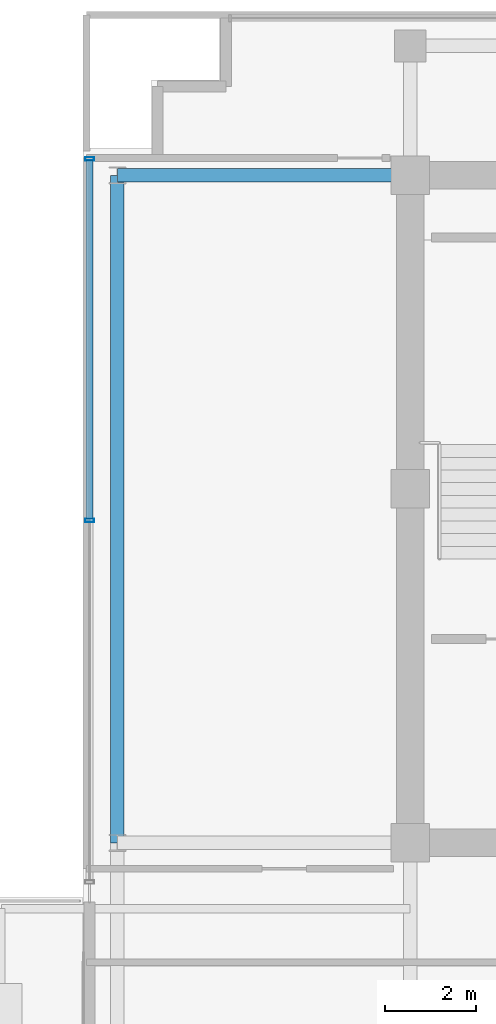
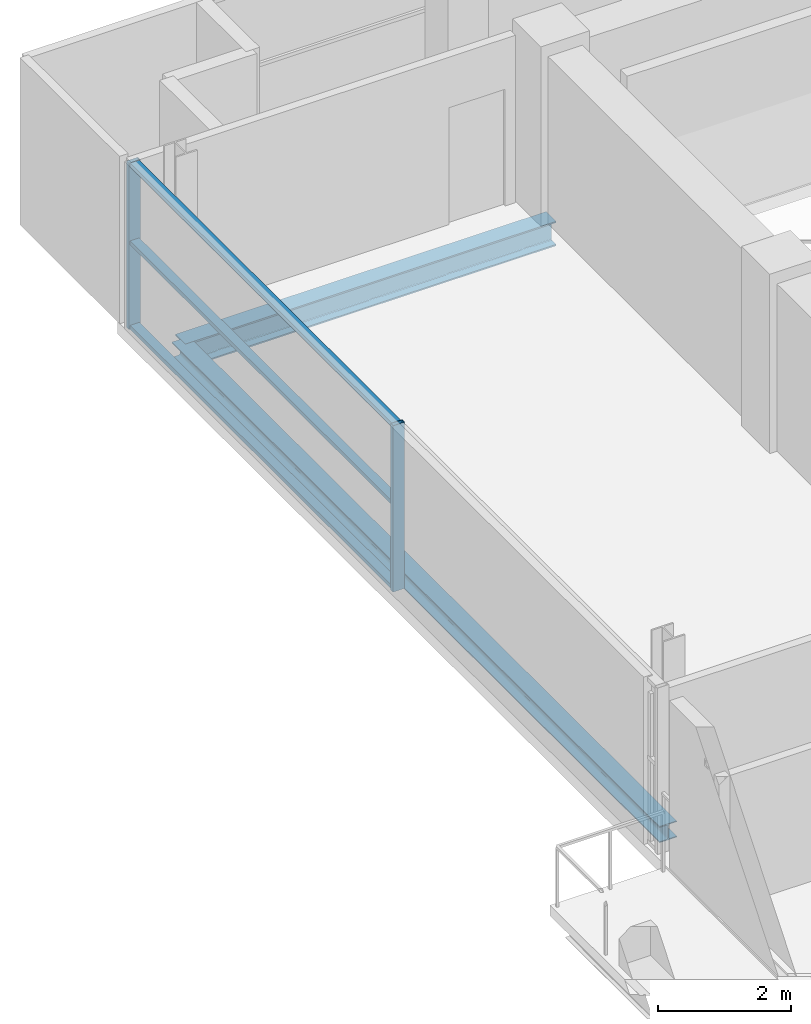
# One storey, part 9 of 28: 5 members, 2 beams, 1 element without a shape of its own.
"""IFC4 building model written with IfcOpenShell, lengths in metres."""

import ifcopenshell
import ifcopenshell.guid

model = None  # the IFC model being written
_history = None  # IfcOwnerHistory: only IFC2X3 demands one
_inside = {}  # id of a spatial element -> (the spatial element, [elements in it])
_under = {}  # id of a project, library or spatial element -> (it, [spatial elements below it])
_declared = {}  # id of a project -> (the project, [libraries it declares])
_typed = {}  # id of a type object -> (the type object, [elements of that type])
_made_of = {}  # id of a material, layer set ... -> (it, [elements and type objects made of it])


def new_model(schema):
    """Start an empty IFC model of exactly this schema.

    Asked for "IFC4X3", IfcOpenShell would pick the latest addendum, in which some entities
    have other attributes; the version numbers below select the first issue.
    IFC2X3 requires an IfcOwnerHistory on every rooted entity: one is made here for all.
    """
    global model, _history
    if schema == "IFC4X3":
        model = ifcopenshell.file(schema_version=(4, 3, 0, 0))
    else:
        model = ifcopenshell.file(schema=schema)
    _inside.clear()
    _under.clear()
    _declared.clear()
    _typed.clear()
    _made_of.clear()
    _history = None
    if model.schema == "IFC2X3":
        org = make("IfcOrganization", Name="unknown")
        user = make(
            "IfcPersonAndOrganization",
            ThePerson=make("IfcPerson", FamilyName="unknown"),
            TheOrganization=org,
        )
        app = make(
            "IfcApplication",
            ApplicationDeveloper=org,
            Version="unknown",
            ApplicationFullName="unknown",
            ApplicationIdentifier="unknown",
        )
        _history = make(
            "IfcOwnerHistory",
            OwningUser=user,
            OwningApplication=app,
            ChangeAction="ADDED",
            CreationDate=0,
        )
    return model


def make(cls, **values):
    """One entity of the class cls with the attributes given. An attribute that is None is left unset."""
    return model.create_entity(
        cls, **{name: value for name, value in values.items() if value is not None}
    )


def rooted(cls, **values):
    """An entity with a GlobalId (a new one), such as an element, a storey or a relation."""
    return make(cls, GlobalId=ifcopenshell.guid.new(), OwnerHistory=_history, **values)


def si_unit(unit_type, name, prefix=None):
    """IfcSIUnit, for example si_unit("LENGTHUNIT", "METRE", prefix="MILLI")."""
    return make("IfcSIUnit", UnitType=unit_type, Prefix=prefix, Name=name)


def assignment(units):
    """IfcUnitAssignment: the units of a project."""
    return None if units is None else make("IfcUnitAssignment", Units=units)


def point(xyz):
    """IfcCartesianPoint."""
    return None if xyz is None else make("IfcCartesianPoint", Coordinates=xyz)


def direction(xyz):
    """IfcDirection."""
    return None if xyz is None else make("IfcDirection", DirectionRatios=xyz)


def frame(location, z_axis=None, x_axis=None):
    """IfcAxis2Placement3D, a coordinate frame: its origin and axes. An axis left out is left unset."""
    return make(
        "IfcAxis2Placement3D",
        Location=point(location),
        Axis=direction(z_axis),
        RefDirection=direction(x_axis),
    )


def frame_2d(location, x_axis=None):
    """IfcAxis2Placement2D, a coordinate frame in the plane: its origin and x axis."""
    return make(
        "IfcAxis2Placement2D", Location=point(location), RefDirection=direction(x_axis)
    )


def origin():
    """The frame at (0, 0, 0) with its axes left unset."""
    return frame((0.0, 0.0, 0.0))


def origin_2d():
    """The frame at (0, 0) in the plane with its x axis left unset."""
    return frame_2d((0.0, 0.0))


def place(relative_to, where):
    """IfcLocalPlacement: puts the frame where relative to a parent placement (None: the world)."""
    return make(
        "IfcLocalPlacement", PlacementRelTo=relative_to, RelativePlacement=where
    )


def context(
    kind, dimensions, precision=None, world=None, true_north=None, identifier=None
):
    """IfcGeometricRepresentationContext, for example the 3D "Model" context."""
    return make(
        "IfcGeometricRepresentationContext",
        ContextIdentifier=identifier,
        ContextType=kind,
        CoordinateSpaceDimension=dimensions,
        Precision=precision,
        WorldCoordinateSystem=world,
        TrueNorth=true_north,
    )


def subcontext(parent, identifier, kind, view, scale=None):
    """IfcGeometricRepresentationSubContext, for example "Body" below "Model"."""
    return make(
        "IfcGeometricRepresentationSubContext",
        ContextIdentifier=identifier,
        ContextType=kind,
        ParentContext=parent,
        TargetScale=scale,
        TargetView=view,
    )


def project(units=None, contexts=None):
    """IfcProject with its units and contexts."""
    return rooted(
        "IfcProject",
        Name="project",
        RepresentationContexts=contexts,
        UnitsInContext=assignment(units),
    )


def spatial(cls, under=None, at=None, **own):
    """A site, building, storey or space (cls), placed at a placement, below another one or the project."""
    s = rooted(cls, ObjectPlacement=at, **own)
    if under is not None:
        _under.setdefault(under.id(), (under, []))[1].append(s)
    return s


def profile(cls, at=None, kind="AREA", **sizes):
    """A parametric profile (cls). Its sizes go by their IFC names, for example OverallWidth=200.0."""
    return make(cls, ProfileType=kind, Position=at, **sizes)


def hollow_rectangle(**sizes):
    """IfcRectangleHollowProfileDef."""
    return profile("IfcRectangleHollowProfileDef", **sizes)


def i_section(**sizes):
    """IfcIShapeProfileDef."""
    return profile("IfcIShapeProfileDef", **sizes)


def extrude(swept, where, along, depth):
    """IfcExtrudedAreaSolid: the profile swept, set in the frame where, extruded along a direction by depth."""
    return make(
        "IfcExtrudedAreaSolid",
        SweptArea=swept,
        Position=where,
        ExtrudedDirection=direction(along),
        Depth=depth,
    )


def shape(context_of_items, identifier, shape_type, items):
    """IfcShapeRepresentation: the items that make up one representation, for example the "Body"."""
    return make(
        "IfcShapeRepresentation",
        ContextOfItems=context_of_items,
        RepresentationIdentifier=identifier,
        RepresentationType=shape_type,
        Items=items,
    )


def source(mapping_origin, context_of_items, identifier, shape_type, items):
    """IfcRepresentationMap: a shape defined once, which mapped items show again and again."""
    return make(
        "IfcRepresentationMap",
        MappingOrigin=mapping_origin,
        MappedRepresentation=shape(context_of_items, identifier, shape_type, items),
    )


def transform(
    local_origin,
    x_axis=None,
    y_axis=None,
    z_axis=None,
    scale=None,
    scale2=None,
    scale3=None,
    uniform=True,
):
    """IfcCartesianTransformationOperator3D, or its non-uniform kind. x_axis, y_axis, z_axis: its Axis1, 2, 3."""
    if uniform:
        return make(
            "IfcCartesianTransformationOperator3D",
            Axis1=direction(x_axis),
            Axis2=direction(y_axis),
            LocalOrigin=point(local_origin),
            Scale=scale,
            Axis3=direction(z_axis),
        )
    return make(
        "IfcCartesianTransformationOperator3DnonUniform",
        Axis1=direction(x_axis),
        Axis2=direction(y_axis),
        LocalOrigin=point(local_origin),
        Scale=scale,
        Axis3=direction(z_axis),
        Scale2=scale2,
        Scale3=scale3,
    )


def mapped(mapping_source, mapping_target):
    """IfcMappedItem: shows the shape of a source again, moved by a transform."""
    return make(
        "IfcMappedItem", MappingSource=mapping_source, MappingTarget=mapping_target
    )


def material(Name=None, Category=None):
    """IfcMaterial."""
    return make("IfcMaterial", Name=Name, Category=Category)


def layer(
    of_material, thickness, ventilated=None, Name=None, Category=None, Priority=None
):
    """IfcMaterialLayer: one layer of a wall or slab, of a material (None: an air gap)."""
    return make(
        "IfcMaterialLayer",
        Material=of_material,
        LayerThickness=thickness,
        IsVentilated=ventilated,
        Name=Name,
        Category=Category,
        Priority=Priority,
    )


def layer_set(layers, Name=None):
    """IfcMaterialLayerSet."""
    return make("IfcMaterialLayerSet", MaterialLayers=layers, LayerSetName=Name)


def material_profile(
    of_material, cross_section, Name=None, Category=None, Priority=None
):
    """IfcMaterialProfile: a cross section and its material."""
    return make(
        "IfcMaterialProfile",
        Name=Name,
        Material=of_material,
        Profile=cross_section,
        Priority=Priority,
        Category=Category,
    )


def profile_set(profiles, Name=None, composite=None):
    """IfcMaterialProfileSet."""
    return make(
        "IfcMaterialProfileSet",
        Name=Name,
        MaterialProfiles=profiles,
        CompositeProfile=composite,
    )


def made_of(thing, what):
    """Note that an element or type object is made of a material, layer set ...; save() writes the relation."""
    if what is not None:
        _made_of.setdefault(what.id(), (what, []))[1].append(thing)
    return thing


def type_object(cls, material=None, **own):
    """A type object (cls), such as IfcWallType, which elements share."""
    return made_of(rooted(cls, **own), material)


def element(
    cls,
    number,
    at=None,
    inside=None,
    cuts=None,
    type_object=None,
    material=None,
    context=None,
    identifier="Body",
    shape_type=None,
    held_by="IfcProductDefinitionShape",
    body=None,
    shapes=None,
    **own,
):
    """One element of the class cls, such as IfcWall. Its Tag is "e" and its number.

    at: its placement. inside: the storey or other place that contains it. cuts: it is an
    opening in that element (IfcRelVoidsElement). A single representation is given by context,
    identifier, shape_type and body (its items); several are given by shapes. held_by: the class
    of the entity that holds the representations. save() writes the other relations.
    """
    e = rooted(cls, Tag="e%d" % number, ObjectPlacement=at, **own)
    if body is not None:
        shapes = [shape(context, identifier, shape_type, body)]
    if shapes is not None:
        e.Representation = make(held_by, Representations=shapes)
    if inside is not None:
        _inside.setdefault(inside.id(), (inside, []))[1].append(e)
    if cuts is not None:
        rooted(
            "IfcRelVoidsElement", RelatingBuildingElement=cuts, RelatedOpeningElement=e
        )
    if type_object is not None:
        _typed.setdefault(type_object.id(), (type_object, []))[1].append(e)
    return made_of(e, material)


def aggregate(whole, parts):
    """IfcRelAggregates: a whole, such as a stair, and the parts it consists of."""
    return rooted("IfcRelAggregates", RelatingObject=whole, RelatedObjects=parts)


def save(model, path):
    """Write the relations noted so far, then the file.

    IfcRelAggregates (storeys below a building ...), IfcRelContainedInSpatialStructure (elements
    in a storey), IfcRelDefinesByType, IfcRelAssociatesMaterial and IfcRelDeclares: one each for
    every whole, place, type object, material and project.
    """
    for whole, parts in _under.values():
        aggregate(whole, parts)
    for where, things in _inside.values():
        rooted(
            "IfcRelContainedInSpatialStructure",
            RelatedElements=things,
            RelatingStructure=where,
        )
    for kind, things in _typed.values():
        rooted("IfcRelDefinesByType", RelatedObjects=things, RelatingType=kind)
    for what, things in _made_of.values():
        rooted("IfcRelAssociatesMaterial", RelatedObjects=things, RelatingMaterial=what)
    for by, libraries in _declared.values():
        rooted("IfcRelDeclares", RelatingContext=by, RelatedDefinitions=libraries)
    model.write(path)


model = new_model("IFC4")

# Units and contexts
model_context = context("Model", 3, precision=1e-05, world=origin(), true_north=direction((0.0, 1.0)))
body_context = subcontext(model_context, "Body", "Model", "MODEL_VIEW")
ifc_project = project(units=[si_unit("LENGTHUNIT", "METRE"), si_unit("AREAUNIT", "SQUARE_METRE"), si_unit("VOLUMEUNIT", "CUBIC_METRE"), si_unit("PLANEANGLEUNIT", "RADIAN"), si_unit("MASSUNIT", "GRAM", prefix="KILO")], contexts=[model_context])

# Site, building, storey
site_placement = place(None, origin())
site = spatial("IfcSite", under=ifc_project, at=site_placement, CompositionType="ELEMENT")
building_placement = place(site_placement, origin())
building = spatial("IfcBuilding", under=site, at=building_placement, Name="Zarnakvel Exchange Tower", CompositionType="ELEMENT")
storey_placement = place(building_placement, frame((0.0, 0.0, 268.300048828125)))
storey = spatial("IfcBuildingStorey", under=building, at=storey_placement, Name="L76", CompositionType="ELEMENT", Elevation=268.300048828125)

# Beams
ifc_material_1 = material(Name="Steel S355", Category="steel")
ifc_material_profile_1 = material_profile(ifc_material_1, i_section(OverallWidth=0.300048828125, OverallDepth=0.449951171875, WebThickness=0.013916015625, FlangeThickness=0.02587890625, FilletRadius=0.027099609375, at=origin_2d()))
ifc_profile_set_1 = profile_set([ifc_material_profile_1], Name="Steel S355")
beam_type_1 = type_object("IfcBeamType", Name="G-07", PredefinedType="BEAM", material=ifc_profile_set_1)
beam_1_placement = place(storey_placement, frame((-20.85009765625, 13.5, -0.449951171875), z_axis=(1.0, 0.0, 0.0), x_axis=(0.0, 1.0, 0.0)))
element("IfcBeam", 1, at=beam_1_placement, inside=storey, type_object=beam_type_1, Name="L76 Tower E-W Frame Beam", PredefinedType="BEAM", context=body_context, shape_type="SweptSolid", body=[
    extrude(i_section(OverallWidth=0.300048828125, OverallDepth=0.449951171875, WebThickness=0.013916015625, FlangeThickness=0.02587890625, FilletRadius=0.027099609375, at=origin_2d()), origin(), (0.0, 0.0, 1.0), 6.4501953125),
])
ifc_material_profile_2 = material_profile(ifc_material_1, i_section(OverallWidth=0.300048828125, OverallDepth=0.300048828125, WebThickness=0.010986328125, FlangeThickness=0.01904296875, FilletRadius=0.027099609375, at=origin_2d()))
ifc_profile_set_2 = profile_set([ifc_material_profile_2], Name="Steel S355")
beam_type_2 = type_object("IfcBeamType", Name="SP-03", PredefinedType="SPANDREL", material=ifc_profile_set_2)
beam_2_placement = place(storey_placement, frame((-20.85009765625, -1.199951171875, -0.375), z_axis=(0.0, 1.0, 0.0), x_axis=(-1.0, 0.0, 0.0)))
element("IfcBeam", 2, at=beam_2_placement, inside=storey, type_object=beam_type_2, Name="L76 Tower N-S Frame Beam", PredefinedType="SPANDREL", context=body_context, shape_type="SweptSolid", body=[
    extrude(i_section(OverallWidth=0.300048828125, OverallDepth=0.300048828125, WebThickness=0.010986328125, FlangeThickness=0.01904296875, FilletRadius=0.027099609375, at=origin_2d()), origin(), (0.0, 0.0, 1.0), 14.699951171875),
])

# Curtain wall, members
ifc_material_2 = material(Name="Architectural Bronze Anodised Aluminium", Category="aluminium")
ifc_layer = layer(ifc_material_2, 0.199951171875)
ifc_layer_set = layer_set([ifc_layer], Name="Architectural Bronze Anodised Aluminium")
curtain_wall_type = type_object("IfcCurtainWallType", Name="CW-04", PredefinedType="NOTDEFINED", material=ifc_layer_set)
curtain_wall_placement = place(storey_placement, origin())
curtain_wall = element("IfcCurtainWall", 3, at=curtain_wall_placement, inside=storey, type_object=curtain_wall_type, Name="L76 Curtain Wall CW-L76-WN (CW-04)", PredefinedType="NOTDEFINED")
ifc_material_profile_3 = material_profile(ifc_material_2, hollow_rectangle(XDim=0.159912109375, YDim=0.074951171875, WallThickness=0.00390625, at=origin_2d()))
ifc_profile_set_3 = profile_set([ifc_material_profile_3], Name="Architectural Bronze Anodised Aluminium")
member_type_1 = type_object("IfcMemberType", Name="CWT-04", PredefinedType="USERDEFINED", material=ifc_profile_set_3)
shared_shape_1 = source(origin(), body_context, "Body", "SweptSolid", [
    extrude(hollow_rectangle(XDim=0.159912109375, YDim=0.074951171875, WallThickness=0.00390625, at=origin_2d()), origin(), (0.0, 0.0, 1.0), 7.887451171875),
])
member_1_placement = place(storey_placement, frame((-21.4599609375, 5.9375, 0.037353515625), z_axis=(0.0, 1.0, 0.0), x_axis=(-1.0, 0.0, 0.0)))
member_1 = element("IfcMember", 4, at=member_1_placement, type_object=member_type_1, Name="CW-04 transom 2.1", ObjectType="TRANSOM", PredefinedType="USERDEFINED", context=body_context, shape_type="MappedRepresentation", body=[
    mapped(shared_shape_1, transform((0.0, 0.0, 0.0), x_axis=(1.0, 0.0, 0.0), y_axis=(0.0, 1.0, 0.0), z_axis=(0.0, 0.0, 1.0), scale=1.0)),
])
member_2_placement = place(storey_placement, frame((-21.4599609375, 5.9375, 1.591064453125), z_axis=(0.0, 1.0, 0.0), x_axis=(-1.0, 0.0, 0.0)))
member_2 = element("IfcMember", 5, at=member_2_placement, type_object=member_type_1, Name="CW-04 transom 2.2", ObjectType="TRANSOM", PredefinedType="USERDEFINED", context=body_context, shape_type="MappedRepresentation", body=[
    mapped(shared_shape_1, transform((0.0, 0.0, 0.0), x_axis=(1.0, 0.0, 0.0), y_axis=(0.0, 1.0, 0.0), z_axis=(0.0, 0.0, 1.0), scale=1.0)),
])
member_3_placement = place(storey_placement, frame((-21.4599609375, 5.9375, 3.0224609375), z_axis=(0.0, 1.0, 0.0), x_axis=(-1.0, 0.0, 0.0)))
member_3 = element("IfcMember", 6, at=member_3_placement, type_object=member_type_1, Name="CW-04 transom 2.3", ObjectType="TRANSOM", PredefinedType="USERDEFINED", context=body_context, shape_type="MappedRepresentation", body=[
    mapped(shared_shape_1, transform((0.0, 0.0, 0.0), x_axis=(1.0, 0.0, 0.0), y_axis=(0.0, 1.0, 0.0), z_axis=(0.0, 0.0, 1.0), scale=1.0)),
])
ifc_material_profile_4 = material_profile(ifc_material_2, hollow_rectangle(XDim=0.199951171875, YDim=0.074951171875, WallThickness=0.0048828125, at=origin_2d()))
ifc_profile_set_4 = profile_set([ifc_material_profile_4], Name="Architectural Bronze Anodised Aluminium")
member_type_2 = type_object("IfcMemberType", Name="CWM-04", PredefinedType="MULLION", material=ifc_profile_set_4)
shared_shape_2 = source(origin(), body_context, "Body", "SweptSolid", [
    extrude(hollow_rectangle(XDim=0.199951171875, YDim=0.074951171875, WallThickness=0.0048828125, at=origin_2d()), origin(), (0.0, 0.0, 1.0), 3.06005859375),
])
member_4_placement = place(storey_placement, frame((-21.4599609375, 5.89990234375, 0.0), z_axis=(0.0, 0.0, 1.0), x_axis=(-1.0, 0.0, 0.0)))
member_4 = element("IfcMember", 7, at=member_4_placement, type_object=member_type_2, Name="CW-04 mullion 2", PredefinedType="MULLION", context=body_context, shape_type="MappedRepresentation", body=[
    mapped(shared_shape_2, transform((0.0, 0.0, 0.0), x_axis=(1.0, 0.0, 0.0), y_axis=(0.0, 1.0, 0.0), z_axis=(0.0, 0.0, 1.0), scale=1.0)),
])
member_5_placement = place(storey_placement, frame((-21.4599609375, 13.862548828125, 0.0), z_axis=(0.0, 0.0, 1.0), x_axis=(-1.0, 0.0, 0.0)))
member_5 = element("IfcMember", 8, at=member_5_placement, type_object=member_type_2, Name="CW-04 mullion 3", PredefinedType="MULLION", context=body_context, shape_type="MappedRepresentation", body=[
    mapped(shared_shape_2, transform((0.0, 0.0, 0.0), x_axis=(1.0, 0.0, 0.0), y_axis=(0.0, 1.0, 0.0), z_axis=(0.0, 0.0, 1.0), scale=1.0)),
])
aggregate(curtain_wall, [member_4, member_5, member_1, member_2, member_3])

save(model, "model.ifc")
